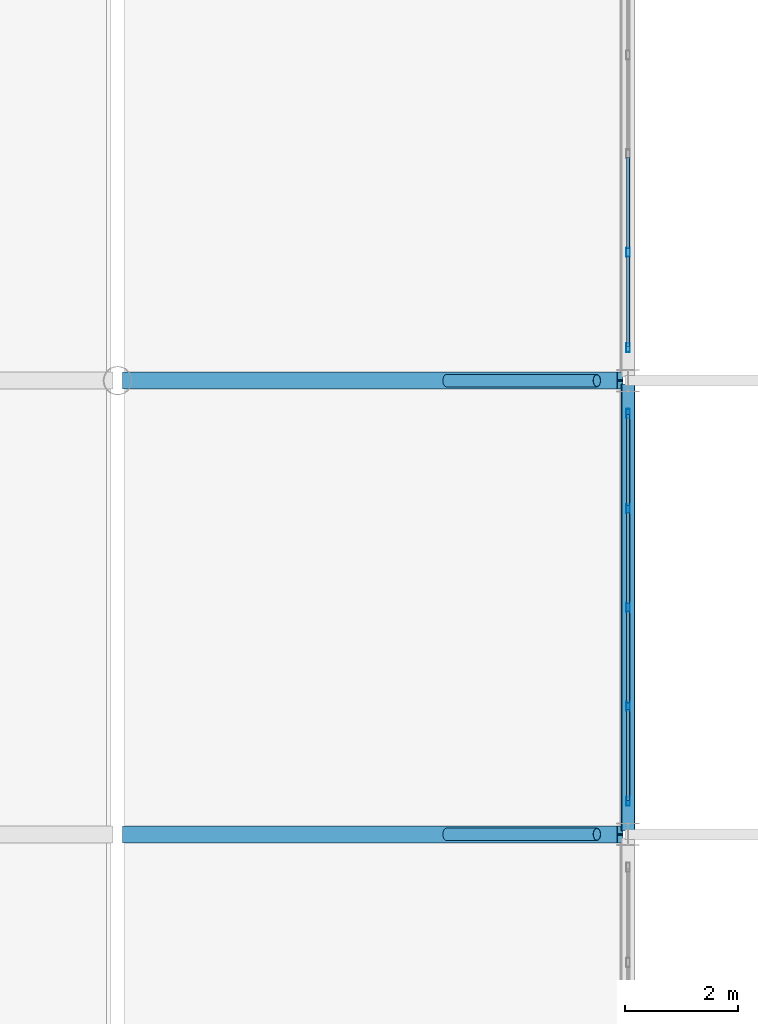
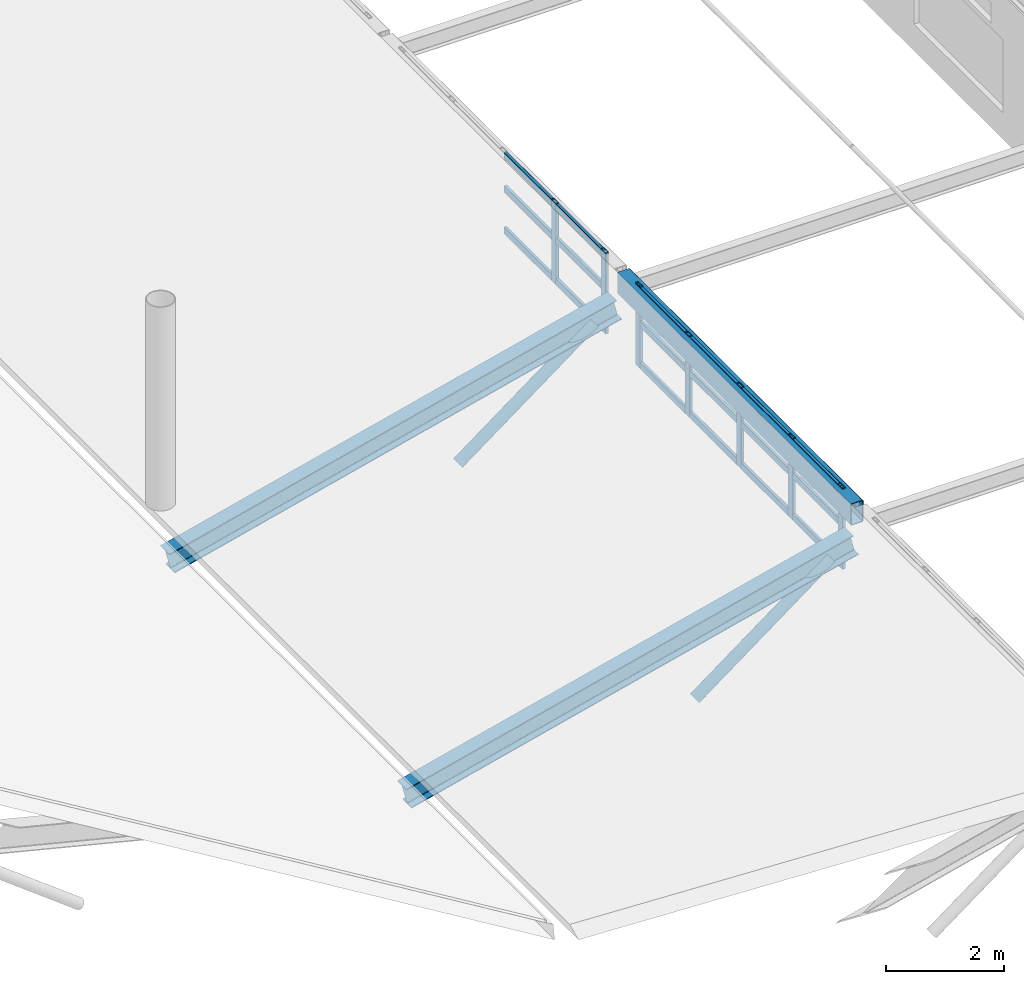
# One storey, part 22 of 128: 27 members, 3 beams, 2 elements without a shape of their own.
"""IFC4 building model written with IfcOpenShell, lengths in metres."""

import ifcopenshell
import ifcopenshell.guid

model = None  # the IFC model being written
_history = None  # IfcOwnerHistory: only IFC2X3 demands one
_inside = {}  # id of a spatial element -> (the spatial element, [elements in it])
_under = {}  # id of a project, library or spatial element -> (it, [spatial elements below it])
_declared = {}  # id of a project -> (the project, [libraries it declares])
_typed = {}  # id of a type object -> (the type object, [elements of that type])
_made_of = {}  # id of a material, layer set ... -> (it, [elements and type objects made of it])


def new_model(schema):
    """Start an empty IFC model of exactly this schema.

    Asked for "IFC4X3", IfcOpenShell would pick the latest addendum, in which some entities
    have other attributes; the version numbers below select the first issue.
    IFC2X3 requires an IfcOwnerHistory on every rooted entity: one is made here for all.
    """
    global model, _history
    if schema == "IFC4X3":
        model = ifcopenshell.file(schema_version=(4, 3, 0, 0))
    else:
        model = ifcopenshell.file(schema=schema)
    _inside.clear()
    _under.clear()
    _declared.clear()
    _typed.clear()
    _made_of.clear()
    _history = None
    if model.schema == "IFC2X3":
        org = make("IfcOrganization", Name="unknown")
        user = make(
            "IfcPersonAndOrganization",
            ThePerson=make("IfcPerson", FamilyName="unknown"),
            TheOrganization=org,
        )
        app = make(
            "IfcApplication",
            ApplicationDeveloper=org,
            Version="unknown",
            ApplicationFullName="unknown",
            ApplicationIdentifier="unknown",
        )
        _history = make(
            "IfcOwnerHistory",
            OwningUser=user,
            OwningApplication=app,
            ChangeAction="ADDED",
            CreationDate=0,
        )
    return model


def make(cls, **values):
    """One entity of the class cls with the attributes given. An attribute that is None is left unset."""
    return model.create_entity(
        cls, **{name: value for name, value in values.items() if value is not None}
    )


def rooted(cls, **values):
    """An entity with a GlobalId (a new one), such as an element, a storey or a relation."""
    return make(cls, GlobalId=ifcopenshell.guid.new(), OwnerHistory=_history, **values)


def si_unit(unit_type, name, prefix=None):
    """IfcSIUnit, for example si_unit("LENGTHUNIT", "METRE", prefix="MILLI")."""
    return make("IfcSIUnit", UnitType=unit_type, Prefix=prefix, Name=name)


def derived_unit(unit_type, elements):
    """IfcDerivedUnit: a product of units, each with its exponent."""
    return make(
        "IfcDerivedUnit",
        Elements=[
            make("IfcDerivedUnitElement", Unit=unit, Exponent=power)
            for unit, power in elements
        ],
        UnitType=unit_type,
    )


def assignment(units):
    """IfcUnitAssignment: the units of a project."""
    return None if units is None else make("IfcUnitAssignment", Units=units)


def point(xyz):
    """IfcCartesianPoint."""
    return None if xyz is None else make("IfcCartesianPoint", Coordinates=xyz)


def direction(xyz):
    """IfcDirection."""
    return None if xyz is None else make("IfcDirection", DirectionRatios=xyz)


def frame(location, z_axis=None, x_axis=None):
    """IfcAxis2Placement3D, a coordinate frame: its origin and axes. An axis left out is left unset."""
    return make(
        "IfcAxis2Placement3D",
        Location=point(location),
        Axis=direction(z_axis),
        RefDirection=direction(x_axis),
    )


def frame_2d(location, x_axis=None):
    """IfcAxis2Placement2D, a coordinate frame in the plane: its origin and x axis."""
    return make(
        "IfcAxis2Placement2D", Location=point(location), RefDirection=direction(x_axis)
    )


def origin():
    """The frame at (0, 0, 0) with its axes left unset."""
    return frame((0.0, 0.0, 0.0))


def origin_2d():
    """The frame at (0, 0) in the plane with its x axis left unset."""
    return frame_2d((0.0, 0.0))


def place(relative_to, where):
    """IfcLocalPlacement: puts the frame where relative to a parent placement (None: the world)."""
    return make(
        "IfcLocalPlacement", PlacementRelTo=relative_to, RelativePlacement=where
    )


def context(
    kind, dimensions, precision=None, world=None, true_north=None, identifier=None
):
    """IfcGeometricRepresentationContext, for example the 3D "Model" context."""
    return make(
        "IfcGeometricRepresentationContext",
        ContextIdentifier=identifier,
        ContextType=kind,
        CoordinateSpaceDimension=dimensions,
        Precision=precision,
        WorldCoordinateSystem=world,
        TrueNorth=true_north,
    )


def subcontext(parent, identifier, kind, view, scale=None):
    """IfcGeometricRepresentationSubContext, for example "Body" below "Model"."""
    return make(
        "IfcGeometricRepresentationSubContext",
        ContextIdentifier=identifier,
        ContextType=kind,
        ParentContext=parent,
        TargetScale=scale,
        TargetView=view,
    )


def project(units=None, contexts=None):
    """IfcProject with its units and contexts."""
    return rooted(
        "IfcProject",
        Name="project",
        RepresentationContexts=contexts,
        UnitsInContext=assignment(units),
    )


def spatial(cls, under=None, at=None, **own):
    """A site, building, storey or space (cls), placed at a placement, below another one or the project."""
    s = rooted(cls, ObjectPlacement=at, **own)
    if under is not None:
        _under.setdefault(under.id(), (under, []))[1].append(s)
    return s


def profile(cls, at=None, kind="AREA", **sizes):
    """A parametric profile (cls). Its sizes go by their IFC names, for example OverallWidth=200.0."""
    return make(cls, ProfileType=kind, Position=at, **sizes)


def hollow_rectangle(**sizes):
    """IfcRectangleHollowProfileDef."""
    return profile("IfcRectangleHollowProfileDef", **sizes)


def hollow_circle(**sizes):
    """IfcCircleHollowProfileDef."""
    return profile("IfcCircleHollowProfileDef", **sizes)


def i_section(**sizes):
    """IfcIShapeProfileDef."""
    return profile("IfcIShapeProfileDef", **sizes)


def extrude(swept, where, along, depth):
    """IfcExtrudedAreaSolid: the profile swept, set in the frame where, extruded along a direction by depth."""
    return make(
        "IfcExtrudedAreaSolid",
        SweptArea=swept,
        Position=where,
        ExtrudedDirection=direction(along),
        Depth=depth,
    )


def shape(context_of_items, identifier, shape_type, items):
    """IfcShapeRepresentation: the items that make up one representation, for example the "Body"."""
    return make(
        "IfcShapeRepresentation",
        ContextOfItems=context_of_items,
        RepresentationIdentifier=identifier,
        RepresentationType=shape_type,
        Items=items,
    )


def material(Name=None, Category=None):
    """IfcMaterial."""
    return make("IfcMaterial", Name=Name, Category=Category)


def material_profile(
    of_material, cross_section, Name=None, Category=None, Priority=None
):
    """IfcMaterialProfile: a cross section and its material."""
    return make(
        "IfcMaterialProfile",
        Name=Name,
        Material=of_material,
        Profile=cross_section,
        Priority=Priority,
        Category=Category,
    )


def profile_set(profiles, Name=None, composite=None):
    """IfcMaterialProfileSet."""
    return make(
        "IfcMaterialProfileSet",
        Name=Name,
        MaterialProfiles=profiles,
        CompositeProfile=composite,
    )


def made_of(thing, what):
    """Note that an element or type object is made of a material, layer set ...; save() writes the relation."""
    if what is not None:
        _made_of.setdefault(what.id(), (what, []))[1].append(thing)
    return thing


def type_object(cls, material=None, **own):
    """A type object (cls), such as IfcWallType, which elements share."""
    return made_of(rooted(cls, **own), material)


def element(
    cls,
    number,
    at=None,
    inside=None,
    cuts=None,
    type_object=None,
    material=None,
    context=None,
    identifier="Body",
    shape_type=None,
    held_by="IfcProductDefinitionShape",
    body=None,
    shapes=None,
    **own,
):
    """One element of the class cls, such as IfcWall. Its Tag is "e" and its number.

    at: its placement. inside: the storey or other place that contains it. cuts: it is an
    opening in that element (IfcRelVoidsElement). A single representation is given by context,
    identifier, shape_type and body (its items); several are given by shapes. held_by: the class
    of the entity that holds the representations. save() writes the other relations.
    """
    e = rooted(cls, Tag="e%d" % number, ObjectPlacement=at, **own)
    if body is not None:
        shapes = [shape(context, identifier, shape_type, body)]
    if shapes is not None:
        e.Representation = make(held_by, Representations=shapes)
    if inside is not None:
        _inside.setdefault(inside.id(), (inside, []))[1].append(e)
    if cuts is not None:
        rooted(
            "IfcRelVoidsElement", RelatingBuildingElement=cuts, RelatedOpeningElement=e
        )
    if type_object is not None:
        _typed.setdefault(type_object.id(), (type_object, []))[1].append(e)
    return made_of(e, material)


def aggregate(whole, parts):
    """IfcRelAggregates: a whole, such as a stair, and the parts it consists of."""
    return rooted("IfcRelAggregates", RelatingObject=whole, RelatedObjects=parts)


def save(model, path):
    """Write the relations noted so far, then the file.

    IfcRelAggregates (storeys below a building ...), IfcRelContainedInSpatialStructure (elements
    in a storey), IfcRelDefinesByType, IfcRelAssociatesMaterial and IfcRelDeclares: one each for
    every whole, place, type object, material and project.
    """
    for whole, parts in _under.values():
        aggregate(whole, parts)
    for where, things in _inside.values():
        rooted(
            "IfcRelContainedInSpatialStructure",
            RelatedElements=things,
            RelatingStructure=where,
        )
    for kind, things in _typed.values():
        rooted("IfcRelDefinesByType", RelatedObjects=things, RelatingType=kind)
    for what, things in _made_of.values():
        rooted("IfcRelAssociatesMaterial", RelatedObjects=things, RelatingMaterial=what)
    for by, libraries in _declared.values():
        rooted("IfcRelDeclares", RelatingContext=by, RelatedDefinitions=libraries)
    model.write(path)


model = new_model("IFC4")

# Units and contexts
model_context = context("Model", 3, precision=1e-05, world=origin(), true_north=direction((0.0, 1.0)))
body_context = subcontext(model_context, "Body", "Model", "MODEL_VIEW")
ifc_project = project(units=[si_unit("LENGTHUNIT", "METRE"), si_unit("AREAUNIT", "SQUARE_METRE"), si_unit("VOLUMEUNIT", "CUBIC_METRE"), si_unit("PLANEANGLEUNIT", "RADIAN"), si_unit("MASSUNIT", "GRAM", prefix="KILO"), derived_unit("THERMALTRANSMITTANCEUNIT", [(si_unit("MASSUNIT", "GRAM", prefix="KILO"), 1), (si_unit("TIMEUNIT", "SECOND"), -3), (si_unit("THERMODYNAMICTEMPERATUREUNIT", "KELVIN"), -1)])], contexts=[model_context])

# Site, building, storey
site_placement = place(None, origin())
site = spatial("IfcSite", under=ifc_project, at=site_placement, CompositionType="ELEMENT")
building_placement = place(site_placement, origin())
building = spatial("IfcBuilding", under=site, at=building_placement, Name="Zhenchuan Archway Interchange", CompositionType="ELEMENT")
storey_placement = place(building_placement, frame((0.0, 0.0, 14.39990234375)))
storey = spatial("IfcBuildingStorey", under=building, at=storey_placement, Name="L03", CompositionType="ELEMENT", Elevation=14.39990234375)

# Beams
ifc_material_1 = material(Name="Steel Q390", Category="steel")
ifc_material_profile_1 = material_profile(ifc_material_1, hollow_rectangle(XDim=0.25, YDim=0.449951171875, WallThickness=0.013916015625, InnerFilletRadius=0.013916015625, OuterFilletRadius=0.028076171875, at=origin_2d()), Name="RHS 450x250x14")
ifc_profile_set_1 = profile_set([ifc_material_profile_1], Name="Steel Q390")
beam_type_1 = type_object("IfcBeamType", Name="BM_RING_RHS450", PredefinedType="BEAM", material=ifc_profile_set_1)
beam_placement = place(storey_placement, frame((27.0, 48.06005859375, 1.4501953125), z_axis=(0.0, 1.0, 0.0), x_axis=(-1.0, 0.0, 0.0)))
element("IfcBeam", 1, at=beam_placement, inside=storey, type_object=beam_type_1, Name="CONCOURSE CABLE-NET RING BEAM W-4", PredefinedType="BEAM", context=body_context, shape_type="SweptSolid", body=[
    extrude(hollow_rectangle(XDim=0.25, YDim=0.449951171875, WallThickness=0.013916015625, InnerFilletRadius=0.013916015625, OuterFilletRadius=0.028076171875, at=origin_2d()), origin(), (0.0, 0.0, 1.0), 7.8798828125),
])
ifc_material_2 = material(Name="Steel Q355", Category="steel")
ifc_material_profile_2 = material_profile(ifc_material_2, i_section(OverallWidth=0.300048828125, OverallDepth=0.43994140625, WebThickness=0.010986328125, FlangeThickness=0.01806640625, FilletRadius=0.02197265625, at=origin_2d()), Name="HM 440x300")
ifc_profile_set_2 = profile_set([ifc_material_profile_2], Name="Steel Q355")
beam_type_2 = type_object("IfcBeamType", Name="BM_STL_HM440", PredefinedType="BEAM", material=ifc_profile_set_2)
for number, where, z_axis, x_axis, name in (
    (2, (18.139892578125, 48.0, -1.219970703125), (0.97013930464, 0.0, 0.242548406698), (0.0, 1.0, 0.0), "ROOF TRUSS bus canopy T4 top chord 3"),
    (3, (18.139892578125, 56.0, -1.219970703125), (0.97013930464, 0.0, 0.242548406698), (0.0, 1.0, 0.0), "ROOF TRUSS bus canopy T5 top chord 3"),
):
    element("IfcBeam", number, at=place(storey_placement, frame(where, z_axis=z_axis, x_axis=x_axis)), inside=storey, type_object=beam_type_2, Name=name, PredefinedType="BEAM", context=body_context, shape_type="SweptSolid", body=[
        extrude(i_section(OverallWidth=0.300048828125, OverallDepth=0.43994140625, WebThickness=0.010986328125, FlangeThickness=0.01806640625, FilletRadius=0.02197265625, at=origin_2d()), origin(), (0.0, 0.0, 1.0), 8.988525390625),
    ])

# Curtain wall, members
ifc_material_3 = material(Name="Anodised Aluminium", Category="aluminium")
curtain_wall_type = type_object("IfcCurtainWallType", Name="CW_UNIT_3", PredefinedType="NOTDEFINED", material=ifc_material_3)
curtain_wall_1_placement = place(storey_placement, origin())
curtain_wall_1 = element("IfcCurtainWall", 4, at=curtain_wall_1_placement, inside=storey, type_object=curtain_wall_type, Name="Unitised curtain wall CW:L03:RING-W4", PredefinedType="NOTDEFINED")
ifc_material_profile_3 = material_profile(ifc_material_3, hollow_rectangle(XDim=0.06005859375, YDim=0.159912109375, WallThickness=0.00390625, InnerFilletRadius=0.00390625, OuterFilletRadius=0.008056640625, at=origin_2d()), Name="ALU 160x60x4")
ifc_profile_set_3 = profile_set([ifc_material_profile_3], Name="Anodised Aluminium")
member_type_1 = type_object("IfcMemberType", Name="CW_MUL_150", PredefinedType="MULLION", material=ifc_profile_set_3)
member_1_placement = place(storey_placement, frame((27.0, 48.580078125, 0.02001953125), z_axis=(0.0, 0.0, 1.0), x_axis=(1.0, 0.0, 0.0)))
member_1 = element("IfcMember", 5, at=member_1_placement, type_object=member_type_1, Name="CW:L03:RING-W4 mullion 0", PredefinedType="MULLION", context=body_context, shape_type="SweptSolid", body=[
    extrude(hollow_rectangle(XDim=0.06005859375, YDim=0.159912109375, WallThickness=0.00390625, InnerFilletRadius=0.00390625, OuterFilletRadius=0.008056640625, at=origin_2d()), origin(), (0.0, 0.0, 1.0), 1.68017578125),
])
member_2_placement = place(storey_placement, frame((27.0, 50.260009765625, 0.02001953125), z_axis=(0.0, 0.0, 1.0), x_axis=(1.0, 0.0, 0.0)))
member_2 = element("IfcMember", 6, at=member_2_placement, type_object=member_type_1, Name="CW:L03:RING-W4 mullion 1", PredefinedType="MULLION", context=body_context, shape_type="SweptSolid", body=[
    extrude(hollow_rectangle(XDim=0.06005859375, YDim=0.159912109375, WallThickness=0.00390625, InnerFilletRadius=0.00390625, OuterFilletRadius=0.008056640625, at=origin_2d()), origin(), (0.0, 0.0, 1.0), 1.68017578125),
])
member_3_placement = place(storey_placement, frame((27.0, 52.0, 0.02001953125), z_axis=(0.0, 0.0, 1.0), x_axis=(1.0, 0.0, 0.0)))
member_3 = element("IfcMember", 7, at=member_3_placement, type_object=member_type_1, Name="CW:L03:RING-W4 mullion 2", PredefinedType="MULLION", context=body_context, shape_type="SweptSolid", body=[
    extrude(hollow_rectangle(XDim=0.06005859375, YDim=0.159912109375, WallThickness=0.00390625, InnerFilletRadius=0.00390625, OuterFilletRadius=0.008056640625, at=origin_2d()), origin(), (0.0, 0.0, 1.0), 1.68017578125),
])
member_4_placement = place(storey_placement, frame((27.0, 53.739990234375, 0.02001953125), z_axis=(0.0, 0.0, 1.0), x_axis=(1.0, 0.0, 0.0)))
member_4 = element("IfcMember", 8, at=member_4_placement, type_object=member_type_1, Name="CW:L03:RING-W4 mullion 3", PredefinedType="MULLION", context=body_context, shape_type="SweptSolid", body=[
    extrude(hollow_rectangle(XDim=0.06005859375, YDim=0.159912109375, WallThickness=0.00390625, InnerFilletRadius=0.00390625, OuterFilletRadius=0.008056640625, at=origin_2d()), origin(), (0.0, 0.0, 1.0), 1.68017578125),
])
member_5_placement = place(storey_placement, frame((27.0, 55.419921875, 0.02001953125), z_axis=(0.0, 0.0, 1.0), x_axis=(1.0, 0.0, 0.0)))
member_5 = element("IfcMember", 9, at=member_5_placement, type_object=member_type_1, Name="CW:L03:RING-W4 mullion 4", PredefinedType="MULLION", context=body_context, shape_type="SweptSolid", body=[
    extrude(hollow_rectangle(XDim=0.06005859375, YDim=0.159912109375, WallThickness=0.00390625, InnerFilletRadius=0.00390625, OuterFilletRadius=0.008056640625, at=origin_2d()), origin(), (0.0, 0.0, 1.0), 1.68017578125),
])

curtain_wall_2_placement = place(storey_placement, origin())
curtain_wall_2 = element("IfcCurtainWall", 10, at=curtain_wall_2_placement, inside=storey, type_object=curtain_wall_type, Name="Unitised curtain wall CW:L03:RING-W5", PredefinedType="NOTDEFINED")
member_6_placement = place(storey_placement, frame((27.0, 56.580078125, 0.02001953125), z_axis=(0.0, 0.0, 1.0), x_axis=(1.0, 0.0, 0.0)))
member_6 = element("IfcMember", 11, at=member_6_placement, type_object=member_type_1, Name="CW:L03:RING-W5 mullion 0", PredefinedType="MULLION", context=body_context, shape_type="SweptSolid", body=[
    extrude(hollow_rectangle(XDim=0.06005859375, YDim=0.159912109375, WallThickness=0.00390625, InnerFilletRadius=0.00390625, OuterFilletRadius=0.008056640625, at=origin_2d()), origin(), (0.0, 0.0, 1.0), 1.68017578125),
])
member_7_placement = place(storey_placement, frame((27.0, 58.260009765625, 0.02001953125), z_axis=(0.0, 0.0, 1.0), x_axis=(1.0, 0.0, 0.0)))
member_7 = element("IfcMember", 12, at=member_7_placement, type_object=member_type_1, Name="CW:L03:RING-W5 mullion 1", PredefinedType="MULLION", context=body_context, shape_type="SweptSolid", body=[
    extrude(hollow_rectangle(XDim=0.06005859375, YDim=0.159912109375, WallThickness=0.00390625, InnerFilletRadius=0.00390625, OuterFilletRadius=0.008056640625, at=origin_2d()), origin(), (0.0, 0.0, 1.0), 1.68017578125),
])

# Member
ifc_material_profile_4 = material_profile(ifc_material_3, hollow_rectangle(XDim=0.06005859375, YDim=0.139892578125, WallThickness=0.00341796875, InnerFilletRadius=0.00341796875, OuterFilletRadius=0.007080078125, at=origin_2d()), Name="ALU 140x60x3.5")
ifc_profile_set_4 = profile_set([ifc_material_profile_4], Name="Anodised Aluminium")
member_type_2 = type_object("IfcMemberType", Name="CW_TRN_140", PredefinedType="USERDEFINED", material=ifc_profile_set_4)
member_8_placement = place(storey_placement, frame((27.0, 48.60009765625, 0.080078125), z_axis=(0.0, 1.0, 0.0), x_axis=(-1.0, 0.0, 0.0)))
member_8 = element("IfcMember", 13, at=member_8_placement, type_object=member_type_2, Name="CW:L03:RING-W4 transom 0-1", ObjectType="TRANSOM", PredefinedType="USERDEFINED", context=body_context, shape_type="SweptSolid", body=[
    extrude(hollow_rectangle(XDim=0.06005859375, YDim=0.139892578125, WallThickness=0.00341796875, InnerFilletRadius=0.00341796875, OuterFilletRadius=0.007080078125, at=origin_2d()), origin(), (0.0, 0.0, 1.0), 1.599853515625),
])

member_9_placement = place(storey_placement, frame((27.0, 48.60009765625, 0.93310546875), z_axis=(0.0, 1.0, 0.0), x_axis=(-1.0, 0.0, 0.0)))
member_9 = element("IfcMember", 14, at=member_9_placement, type_object=member_type_2, Name="CW:L03:RING-W4 transom 0-2", ObjectType="TRANSOM", PredefinedType="USERDEFINED", context=body_context, shape_type="SweptSolid", body=[
    extrude(hollow_rectangle(XDim=0.06005859375, YDim=0.139892578125, WallThickness=0.00341796875, InnerFilletRadius=0.00341796875, OuterFilletRadius=0.007080078125, at=origin_2d()), origin(), (0.0, 0.0, 1.0), 1.599853515625),
])

member_10_placement = place(storey_placement, frame((27.0, 48.60009765625, 1.6201171875), z_axis=(0.0, 1.0, 0.0), x_axis=(-1.0, 0.0, 0.0)))
member_10 = element("IfcMember", 15, at=member_10_placement, type_object=member_type_2, Name="CW:L03:RING-W4 transom 0-3", ObjectType="TRANSOM", PredefinedType="USERDEFINED", context=body_context, shape_type="SweptSolid", body=[
    extrude(hollow_rectangle(XDim=0.06005859375, YDim=0.139892578125, WallThickness=0.00341796875, InnerFilletRadius=0.00341796875, OuterFilletRadius=0.007080078125, at=origin_2d()), origin(), (0.0, 0.0, 1.0), 1.599853515625),
])

member_11_placement = place(storey_placement, frame((27.0, 50.320068359375, 0.080078125), z_axis=(0.0, 1.0, 0.0), x_axis=(-1.0, 0.0, 0.0)))
member_11 = element("IfcMember", 16, at=member_11_placement, type_object=member_type_2, Name="CW:L03:RING-W4 transom 1-1", ObjectType="TRANSOM", PredefinedType="USERDEFINED", context=body_context, shape_type="SweptSolid", body=[
    extrude(hollow_rectangle(XDim=0.06005859375, YDim=0.139892578125, WallThickness=0.00341796875, InnerFilletRadius=0.00341796875, OuterFilletRadius=0.007080078125, at=origin_2d()), origin(), (0.0, 0.0, 1.0), 1.619873046875),
])

member_12_placement = place(storey_placement, frame((27.0, 50.320068359375, 0.93310546875), z_axis=(0.0, 1.0, 0.0), x_axis=(-1.0, 0.0, 0.0)))
member_12 = element("IfcMember", 17, at=member_12_placement, type_object=member_type_2, Name="CW:L03:RING-W4 transom 1-2", ObjectType="TRANSOM", PredefinedType="USERDEFINED", context=body_context, shape_type="SweptSolid", body=[
    extrude(hollow_rectangle(XDim=0.06005859375, YDim=0.139892578125, WallThickness=0.00341796875, InnerFilletRadius=0.00341796875, OuterFilletRadius=0.007080078125, at=origin_2d()), origin(), (0.0, 0.0, 1.0), 1.619873046875),
])

member_13_placement = place(storey_placement, frame((27.0, 50.320068359375, 1.6201171875), z_axis=(0.0, 1.0, 0.0), x_axis=(-1.0, 0.0, 0.0)))
member_13 = element("IfcMember", 18, at=member_13_placement, type_object=member_type_2, Name="CW:L03:RING-W4 transom 1-3", ObjectType="TRANSOM", PredefinedType="USERDEFINED", context=body_context, shape_type="SweptSolid", body=[
    extrude(hollow_rectangle(XDim=0.06005859375, YDim=0.139892578125, WallThickness=0.00341796875, InnerFilletRadius=0.00341796875, OuterFilletRadius=0.007080078125, at=origin_2d()), origin(), (0.0, 0.0, 1.0), 1.619873046875),
])

member_14_placement = place(storey_placement, frame((27.0, 52.06005859375, 0.080078125), z_axis=(0.0, 1.0, 0.0), x_axis=(-1.0, 0.0, 0.0)))
member_14 = element("IfcMember", 19, at=member_14_placement, type_object=member_type_2, Name="CW:L03:RING-W4 transom 2-1", ObjectType="TRANSOM", PredefinedType="USERDEFINED", context=body_context, shape_type="SweptSolid", body=[
    extrude(hollow_rectangle(XDim=0.06005859375, YDim=0.139892578125, WallThickness=0.00341796875, InnerFilletRadius=0.00341796875, OuterFilletRadius=0.007080078125, at=origin_2d()), origin(), (0.0, 0.0, 1.0), 1.619873046875),
])

member_15_placement = place(storey_placement, frame((27.0, 52.06005859375, 0.93310546875), z_axis=(0.0, 1.0, 0.0), x_axis=(-1.0, 0.0, 0.0)))
member_15 = element("IfcMember", 20, at=member_15_placement, type_object=member_type_2, Name="CW:L03:RING-W4 transom 2-2", ObjectType="TRANSOM", PredefinedType="USERDEFINED", context=body_context, shape_type="SweptSolid", body=[
    extrude(hollow_rectangle(XDim=0.06005859375, YDim=0.139892578125, WallThickness=0.00341796875, InnerFilletRadius=0.00341796875, OuterFilletRadius=0.007080078125, at=origin_2d()), origin(), (0.0, 0.0, 1.0), 1.619873046875),
])

member_16_placement = place(storey_placement, frame((27.0, 52.06005859375, 1.6201171875), z_axis=(0.0, 1.0, 0.0), x_axis=(-1.0, 0.0, 0.0)))
member_16 = element("IfcMember", 21, at=member_16_placement, type_object=member_type_2, Name="CW:L03:RING-W4 transom 2-3", ObjectType="TRANSOM", PredefinedType="USERDEFINED", context=body_context, shape_type="SweptSolid", body=[
    extrude(hollow_rectangle(XDim=0.06005859375, YDim=0.139892578125, WallThickness=0.00341796875, InnerFilletRadius=0.00341796875, OuterFilletRadius=0.007080078125, at=origin_2d()), origin(), (0.0, 0.0, 1.0), 1.619873046875),
])

member_17_placement = place(storey_placement, frame((27.0, 53.800048828125, 0.080078125), z_axis=(0.0, 1.0, 0.0), x_axis=(-1.0, 0.0, 0.0)))
member_17 = element("IfcMember", 22, at=member_17_placement, type_object=member_type_2, Name="CW:L03:RING-W4 transom 3-1", ObjectType="TRANSOM", PredefinedType="USERDEFINED", context=body_context, shape_type="SweptSolid", body=[
    extrude(hollow_rectangle(XDim=0.06005859375, YDim=0.139892578125, WallThickness=0.00341796875, InnerFilletRadius=0.00341796875, OuterFilletRadius=0.007080078125, at=origin_2d()), origin(), (0.0, 0.0, 1.0), 1.599853515625),
])

member_18_placement = place(storey_placement, frame((27.0, 53.800048828125, 0.93310546875), z_axis=(0.0, 1.0, 0.0), x_axis=(-1.0, 0.0, 0.0)))
member_18 = element("IfcMember", 23, at=member_18_placement, type_object=member_type_2, Name="CW:L03:RING-W4 transom 3-2", ObjectType="TRANSOM", PredefinedType="USERDEFINED", context=body_context, shape_type="SweptSolid", body=[
    extrude(hollow_rectangle(XDim=0.06005859375, YDim=0.139892578125, WallThickness=0.00341796875, InnerFilletRadius=0.00341796875, OuterFilletRadius=0.007080078125, at=origin_2d()), origin(), (0.0, 0.0, 1.0), 1.599853515625),
])

member_19_placement = place(storey_placement, frame((27.0, 53.800048828125, 1.6201171875), z_axis=(0.0, 1.0, 0.0), x_axis=(-1.0, 0.0, 0.0)))
member_19 = element("IfcMember", 24, at=member_19_placement, type_object=member_type_2, Name="CW:L03:RING-W4 transom 3-3", ObjectType="TRANSOM", PredefinedType="USERDEFINED", context=body_context, shape_type="SweptSolid", body=[
    extrude(hollow_rectangle(XDim=0.06005859375, YDim=0.139892578125, WallThickness=0.00341796875, InnerFilletRadius=0.00341796875, OuterFilletRadius=0.007080078125, at=origin_2d()), origin(), (0.0, 0.0, 1.0), 1.599853515625),
])

aggregate(curtain_wall_1, [member_1, member_2, member_3, member_4, member_5, member_8, member_9, member_10, member_11, member_12, member_13, member_14, member_15, member_16, member_17, member_18, member_19])

member_20_placement = place(storey_placement, frame((27.0, 56.60009765625, 0.080078125), z_axis=(0.0, 1.0, 0.0), x_axis=(-1.0, 0.0, 0.0)))
member_20 = element("IfcMember", 25, at=member_20_placement, type_object=member_type_2, Name="CW:L03:RING-W5 transom 0-1", ObjectType="TRANSOM", PredefinedType="USERDEFINED", context=body_context, shape_type="SweptSolid", body=[
    extrude(hollow_rectangle(XDim=0.06005859375, YDim=0.139892578125, WallThickness=0.00341796875, InnerFilletRadius=0.00341796875, OuterFilletRadius=0.007080078125, at=origin_2d()), origin(), (0.0, 0.0, 1.0), 1.599853515625),
])

member_21_placement = place(storey_placement, frame((27.0, 56.60009765625, 0.93310546875), z_axis=(0.0, 1.0, 0.0), x_axis=(-1.0, 0.0, 0.0)))
member_21 = element("IfcMember", 26, at=member_21_placement, type_object=member_type_2, Name="CW:L03:RING-W5 transom 0-2", ObjectType="TRANSOM", PredefinedType="USERDEFINED", context=body_context, shape_type="SweptSolid", body=[
    extrude(hollow_rectangle(XDim=0.06005859375, YDim=0.139892578125, WallThickness=0.00341796875, InnerFilletRadius=0.00341796875, OuterFilletRadius=0.007080078125, at=origin_2d()), origin(), (0.0, 0.0, 1.0), 1.599853515625),
])

member_22_placement = place(storey_placement, frame((27.0, 56.60009765625, 1.6201171875), z_axis=(0.0, 1.0, 0.0), x_axis=(-1.0, 0.0, 0.0)))
member_22 = element("IfcMember", 27, at=member_22_placement, type_object=member_type_2, Name="CW:L03:RING-W5 transom 0-3", ObjectType="TRANSOM", PredefinedType="USERDEFINED", context=body_context, shape_type="SweptSolid", body=[
    extrude(hollow_rectangle(XDim=0.06005859375, YDim=0.139892578125, WallThickness=0.00341796875, InnerFilletRadius=0.00341796875, OuterFilletRadius=0.007080078125, at=origin_2d()), origin(), (0.0, 0.0, 1.0), 1.599853515625),
])

member_23_placement = place(storey_placement, frame((27.0, 58.320068359375, 0.080078125), z_axis=(0.0, 1.0, 0.0), x_axis=(-1.0, 0.0, 0.0)))
member_23 = element("IfcMember", 28, at=member_23_placement, type_object=member_type_2, Name="CW:L03:RING-W5 transom 1-1", ObjectType="TRANSOM", PredefinedType="USERDEFINED", context=body_context, shape_type="SweptSolid", body=[
    extrude(hollow_rectangle(XDim=0.06005859375, YDim=0.139892578125, WallThickness=0.00341796875, InnerFilletRadius=0.00341796875, OuterFilletRadius=0.007080078125, at=origin_2d()), origin(), (0.0, 0.0, 1.0), 1.619873046875),
])

member_24_placement = place(storey_placement, frame((27.0, 58.320068359375, 0.93310546875), z_axis=(0.0, 1.0, 0.0), x_axis=(-1.0, 0.0, 0.0)))
member_24 = element("IfcMember", 29, at=member_24_placement, type_object=member_type_2, Name="CW:L03:RING-W5 transom 1-2", ObjectType="TRANSOM", PredefinedType="USERDEFINED", context=body_context, shape_type="SweptSolid", body=[
    extrude(hollow_rectangle(XDim=0.06005859375, YDim=0.139892578125, WallThickness=0.00341796875, InnerFilletRadius=0.00341796875, OuterFilletRadius=0.007080078125, at=origin_2d()), origin(), (0.0, 0.0, 1.0), 1.619873046875),
])

member_25_placement = place(storey_placement, frame((27.0, 58.320068359375, 1.6201171875), z_axis=(0.0, 1.0, 0.0), x_axis=(-1.0, 0.0, 0.0)))
member_25 = element("IfcMember", 30, at=member_25_placement, type_object=member_type_2, Name="CW:L03:RING-W5 transom 1-3", ObjectType="TRANSOM", PredefinedType="USERDEFINED", context=body_context, shape_type="SweptSolid", body=[
    extrude(hollow_rectangle(XDim=0.06005859375, YDim=0.139892578125, WallThickness=0.00341796875, InnerFilletRadius=0.00341796875, OuterFilletRadius=0.007080078125, at=origin_2d()), origin(), (0.0, 0.0, 1.0), 1.619873046875),
])

aggregate(curtain_wall_2, [member_6, member_7, member_20, member_21, member_22, member_23, member_24, member_25])

# Members
ifc_material_profile_5 = material_profile(ifc_material_2, hollow_circle(Radius=0.109619140625, WallThickness=0.008056640625, at=origin_2d()), Name="CHS 219x8")
ifc_profile_set_5 = profile_set([ifc_material_profile_5], Name="Steel Q355")
member_type_3 = type_object("IfcMemberType", Name="MB_CHS219", PredefinedType="BRACE", material=ifc_profile_set_5)
for number, where, z_axis, x_axis, name in (
    (31, (23.800048828125, 48.0, -1.219970703125), (0.801079207633, 0.0, 0.598558353962), (0.0, 1.0, 0.0), "ROOF TRUSS bus canopy T4 web D3"),
    (32, (23.800048828125, 56.0, -1.219970703125), (0.801079207633, 0.0, 0.598558353962), (0.0, 1.0, 0.0), "ROOF TRUSS bus canopy T5 web D3"),
):
    element("IfcMember", number, at=place(storey_placement, frame(where, z_axis=z_axis, x_axis=x_axis)), inside=storey, type_object=member_type_3, Name=name, PredefinedType="BRACE", context=body_context, shape_type="SweptSolid", body=[
        extrude(hollow_circle(Radius=0.109619140625, WallThickness=0.008056640625, at=origin_2d()), origin(), (0.0, 0.0, 1.0), 3.307861328125),
    ])

save(model, "model.ifc")
